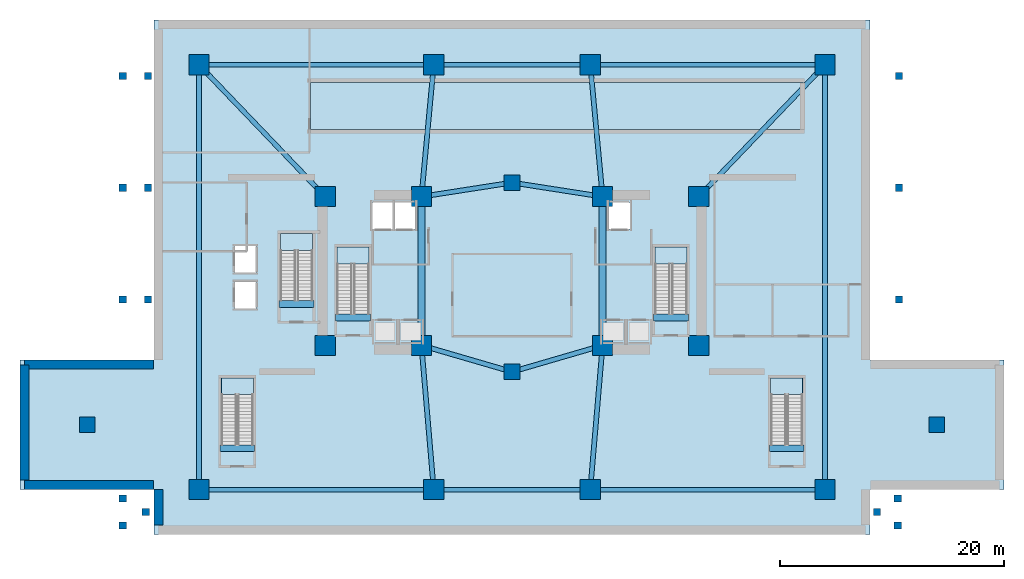
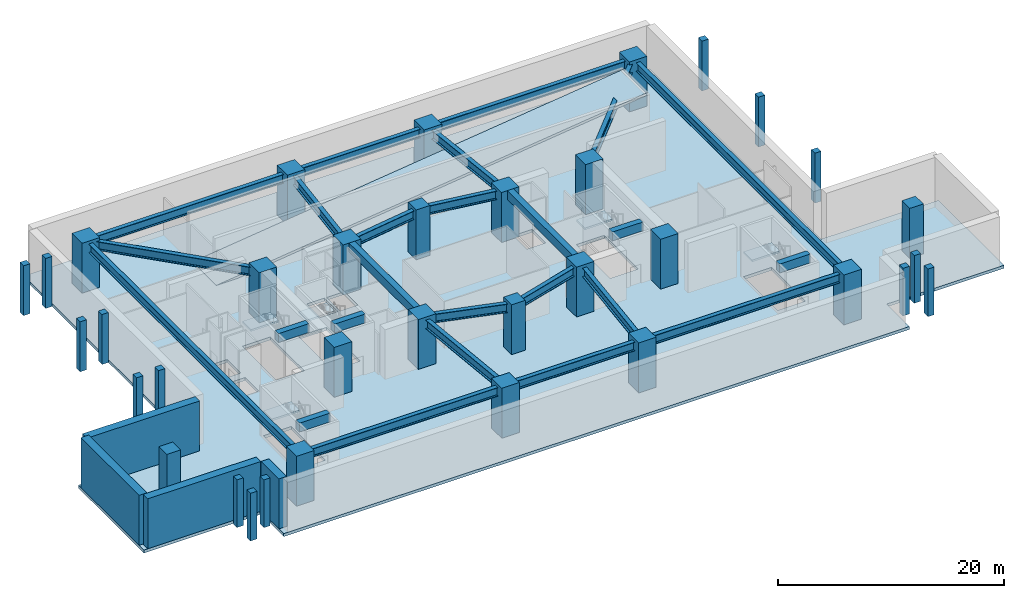
# One storey, part 1 of 9: 35 columns, 25 beams, 7 slabs, 4 walls, 5 elements without a shape of their own.
"""IFC4 building model written with IfcOpenShell, lengths in metres."""

from ifc_helpers import new_model, si_unit, direction, frame, frame_2d, origin, origin_2d, place, context, subcontext, project, spatial, polyline, rectangle, i_section, outline, extrude, material, layer, layer_set, material_profile, profile_set, type_object, element, aggregate, save


model = new_model("IFC4")

# Units and contexts
model_context = context("Model", 3, precision=1e-05, world=origin(), true_north=direction((0.0, 1.0)))
body_context = subcontext(model_context, "Body", "Model", "MODEL_VIEW")
ifc_project = project(units=[si_unit("LENGTHUNIT", "METRE"), si_unit("AREAUNIT", "SQUARE_METRE"), si_unit("VOLUMEUNIT", "CUBIC_METRE"), si_unit("PLANEANGLEUNIT", "RADIAN"), si_unit("MASSUNIT", "GRAM", prefix="KILO")], contexts=[model_context])

# Site, building, storey
site_placement = place(None, origin())
site = spatial("IfcSite", under=ifc_project, at=site_placement, CompositionType="ELEMENT")
building_placement = place(site_placement, origin())
building = spatial("IfcBuilding", under=site, at=building_placement, Name="Solvane Sanctuary Tower", CompositionType="ELEMENT")
storey_placement = place(building_placement, frame((0.0, 0.0, -5.39990234375)))
storey = spatial("IfcBuildingStorey", under=building, at=storey_placement, Name="B01", CompositionType="ELEMENT", Elevation=-5.39990234375)

# Columns
ifc_material_1 = material(Name="Concrete C50/60", Category="concrete")
ifc_material_profile_1 = material_profile(ifc_material_1, rectangle(XDim=0.64990234375, YDim=0.64990234375, at=origin_2d()), Name="RC650X650")
ifc_profile_set_1 = profile_set([ifc_material_profile_1], Name="Concrete C50/60")
column_type_1 = type_object("IfcColumnType", Name="Column C-COL-ARC RC650X650", PredefinedType="PILASTER", material=ifc_profile_set_1)
for number, where, z_axis, x_axis, name in (
    (1, (-2.800048828125, 0.800048828125, 0.0), (0.0, 0.0, 1.0), (1.0, 0.0, 0.0), "B01 Plaza Apron Support Pier WS1"),
    (2, (-2.800048828125, 3.199951171875, 0.0), (0.0, 0.0, 1.0), (1.0, 0.0, 0.0), "B01 Plaza Apron Support Pier WS2"),
    (3, (-0.75, 2.0, 0.0), (0.0, 0.0, 1.0), (1.0, 0.0, 0.0), "B01 Plaza Apron Support Pier WS3"),
    (4, (66.5, 0.800048828125, 0.0), (0.0, 0.0, 1.0), (1.0, 0.0, 0.0), "B01 Plaza Apron Support Pier ES1"),
    (5, (66.5, 3.199951171875, 0.0), (0.0, 0.0, 1.0), (1.0, 0.0, 0.0), "B01 Plaza Apron Support Pier ES2"),
    (6, (64.64990234375, 2.0, 0.0), (0.0, 0.0, 1.0), (1.0, 0.0, 0.0), "B01 Plaza Apron Support Pier ES3"),
):
    element("IfcColumn", number, at=place(storey_placement, frame(where, z_axis=z_axis, x_axis=x_axis)), inside=storey, type_object=column_type_1, Name=name, PredefinedType="PILASTER", context=body_context, shape_type="SweptSolid", body=[
        extrude(rectangle(XDim=0.64990234375, YDim=0.64990234375, at=origin_2d()), origin(), (0.0, 0.0, 1.0), 5.159912109375),
    ])
for number, where, z_axis, x_axis, name in (
    (7, (-2.800048828125, 21.0, 0.0), (0.0, 0.0, 1.0), (1.0, 0.0, 0.0), "B01 West Colonnade Outer Pilaster W1"),
    (8, (-0.550048828125, 21.0, 0.0), (0.0, 0.0, 1.0), (1.0, 0.0, 0.0), "B01 West Colonnade Inner Pilaster W1"),
    (9, (66.60009765625, 21.0, 0.0), (0.0, 0.0, 1.0), (1.0, 0.0, 0.0), "B01 East Colonnade Pilaster E1"),
    (10, (-2.800048828125, 31.0, 0.0), (0.0, 0.0, 1.0), (1.0, 0.0, 0.0), "B01 West Colonnade Outer Pilaster W2"),
    (11, (-0.550048828125, 31.0, 0.0), (0.0, 0.0, 1.0), (1.0, 0.0, 0.0), "B01 West Colonnade Inner Pilaster W2"),
    (12, (66.60009765625, 31.0, 0.0), (0.0, 0.0, 1.0), (1.0, 0.0, 0.0), "B01 East Colonnade Pilaster E2"),
    (13, (-2.800048828125, 41.0, 0.0), (0.0, 0.0, 1.0), (1.0, 0.0, 0.0), "B01 West Colonnade Outer Pilaster W3"),
    (14, (-0.550048828125, 41.0, 0.0), (0.0, 0.0, 1.0), (1.0, 0.0, 0.0), "B01 West Colonnade Inner Pilaster W3"),
    (15, (66.60009765625, 41.0, 0.0), (0.0, 0.0, 1.0), (1.0, 0.0, 0.0), "B01 East Colonnade Pilaster E3"),
):
    element("IfcColumn", number, at=place(storey_placement, frame(where, z_axis=z_axis, x_axis=x_axis)), inside=storey, type_object=column_type_1, Name=name, PredefinedType="PILASTER", context=body_context, shape_type="SweptSolid", body=[
        extrude(rectangle(XDim=0.64990234375, YDim=0.64990234375, at=origin_2d()), origin(), (0.0, 0.0, 1.0), 5.39990234375),
    ])
ifc_material_2 = material(Name="Concrete C70/85", Category="concrete")
ifc_material_profile_2 = material_profile(ifc_material_2, rectangle(XDim=1.800048828125, YDim=1.800048828125, at=origin_2d()), Name="RC1800X1800")
ifc_profile_set_2 = profile_set([ifc_material_profile_2], Name="Concrete C70/85")
column_type_2 = type_object("IfcColumnType", Name="Column C-MEGA RC1800X1800", PredefinedType="COLUMN", material=ifc_profile_set_2)
for number, where, z_axis, x_axis, name in (
    (16, (15.300048828125, 16.89990234375, 0.0), (0.0, 0.0, 1.0), (1.0, 0.0, 0.0), "B01 Core Corner Column CW1"),
    (17, (23.89990234375, 16.89990234375, 0.0), (0.0, 0.0, 1.0), (1.0, 0.0, 0.0), "B01 Core Corner Column CW2"),
    (18, (23.89990234375, 30.199951171875, 0.0), (0.0, 0.0, 1.0), (1.0, 0.0, 0.0), "B01 Core Corner Column CW3"),
    (19, (15.300048828125, 30.199951171875, 0.0), (0.0, 0.0, 1.0), (1.0, 0.0, 0.0), "B01 Core Corner Column CW4"),
    (20, (40.10009765625, 16.89990234375, 0.0), (0.0, 0.0, 1.0), (1.0, 0.0, 0.0), "B01 Core Corner Column CE1"),
    (21, (48.699951171875, 16.89990234375, 0.0), (0.0, 0.0, 1.0), (1.0, 0.0, 0.0), "B01 Core Corner Column CE2"),
    (22, (48.699951171875, 30.199951171875, 0.0), (0.0, 0.0, 1.0), (1.0, 0.0, 0.0), "B01 Core Corner Column CE3"),
    (23, (40.10009765625, 30.199951171875, 0.0), (0.0, 0.0, 1.0), (1.0, 0.0, 0.0), "B01 Core Corner Column CE4"),
    (24, (4.0, 4.0, 0.0), (0.0, 0.0, 1.0), (1.0, 0.0, 0.0), "B01 Podium Mega-Column MC1"),
    (25, (25.0, 4.0, 0.0), (0.0, 0.0, 1.0), (1.0, 0.0, 0.0), "B01 Podium Mega-Column MC2"),
    (26, (39.0, 4.0, 0.0), (0.0, 0.0, 1.0), (1.0, 0.0, 0.0), "B01 Podium Mega-Column MC3"),
    (27, (60.0, 4.0, 0.0), (0.0, 0.0, 1.0), (1.0, 0.0, 0.0), "B01 Podium Mega-Column MC4"),
    (28, (60.0, 42.0, 0.0), (0.0, 0.0, 1.0), (1.0, 0.0, 0.0), "B01 Podium Mega-Column MC5"),
    (29, (39.0, 42.0, 0.0), (0.0, 0.0, 1.0), (1.0, 0.0, 0.0), "B01 Podium Mega-Column MC6"),
    (30, (25.0, 42.0, 0.0), (0.0, 0.0, 1.0), (1.0, 0.0, 0.0), "B01 Podium Mega-Column MC7"),
    (31, (4.0, 42.0, 0.0), (0.0, 0.0, 1.0), (1.0, 0.0, 0.0), "B01 Podium Mega-Column MC8"),
):
    element("IfcColumn", number, at=place(storey_placement, frame(where, z_axis=z_axis, x_axis=x_axis)), inside=storey, type_object=column_type_2, Name=name, PredefinedType="COLUMN", context=body_context, shape_type="SweptSolid", body=[
        extrude(rectangle(XDim=1.800048828125, YDim=1.800048828125, at=origin_2d()), origin(), (0.0, 0.0, 1.0), 5.39990234375),
    ])
ifc_material_profile_3 = material_profile(ifc_material_2, rectangle(XDim=1.39990234375, YDim=1.39990234375, at=origin_2d()), Name="RC1400X1400")
ifc_profile_set_3 = profile_set([ifc_material_profile_3], Name="Concrete C70/85")
column_type_3 = type_object("IfcColumnType", Name="Column C-POD-INT RC1400X1400", PredefinedType="COLUMN", material=ifc_profile_set_3)
for number, where, z_axis, x_axis, name in (
    (32, (-6.0, 9.800048828125, 0.0), (0.0, 0.0, 1.0), (1.0, 0.0, 0.0), "B01 Metro Platform Column MW1"),
    (33, (70.0, 9.800048828125, 0.0), (0.0, 0.0, 1.0), (1.0, 0.0, 0.0), "B01 Metro Platform Column ME1"),
    (34, (32.0, 14.5400390625, 0.0), (0.0, 0.0, 1.0), (1.0, 0.0, 0.0), "B01 Podium Transfer Spine Column PCS"),
    (35, (32.0, 31.4599609375, 0.0), (0.0, 0.0, 1.0), (1.0, 0.0, 0.0), "B01 Podium Transfer Spine Column PCN"),
):
    element("IfcColumn", number, at=place(storey_placement, frame(where, z_axis=z_axis, x_axis=x_axis)), inside=storey, type_object=column_type_3, Name=name, PredefinedType="COLUMN", context=body_context, shape_type="SweptSolid", body=[
        extrude(rectangle(XDim=1.39990234375, YDim=1.39990234375, at=origin_2d()), origin(), (0.0, 0.0, 1.0), 5.39990234375),
    ])

# Beams
ifc_material_profile_4 = material_profile(ifc_material_2, rectangle(XDim=0.60009765625, YDim=0.949951171875, at=origin_2d()), Name="RC600X950")
ifc_profile_set_4 = profile_set([ifc_material_profile_4], Name="Concrete C70/85")
beam_type_1 = type_object("IfcBeamType", Name="Beam B-COUPLE RC600X950", PredefinedType="LINTEL", material=ifc_profile_set_4)
for number, where, z_axis, x_axis, name in (
    (36, (23.89990234375, 17.35009765625, 4.9248046875), (0.0, 1.0, 0.0), (-1.0, 0.0, 0.0), "B01 West Core Coupling Lintel"),
    (37, (40.10009765625, 17.35009765625, 4.9248046875), (0.0, 1.0, 0.0), (-1.0, 0.0, 0.0), "B01 East Core Coupling Lintel"),
):
    element("IfcBeam", number, at=place(storey_placement, frame(where, z_axis=z_axis, x_axis=x_axis)), inside=storey, type_object=beam_type_1, Name=name, PredefinedType="LINTEL", context=body_context, shape_type="SweptSolid", body=[
        extrude(rectangle(XDim=0.60009765625, YDim=0.949951171875, at=origin_2d()), origin(), (0.0, 0.0, 1.0), 12.39990234375),
    ])
for number, where, z_axis, x_axis, name in (
    (38, (16.22998046875, 19.399169921875, 4.9248046875), (1.0, 0.0, 0.0), (0.0, 1.0, 0.0), "B01 ST-1 Stair Floor Landing Trimmer"),
    (39, (44.64990234375, 19.399169921875, 4.9248046875), (1.0, 0.0, 0.0), (0.0, 1.0, 0.0), "B01 ST-2 Stair Floor Landing Trimmer"),
    (40, (11.169921875, 20.59912109375, 4.9248046875), (1.0, 0.0, 0.0), (0.0, 1.0, 0.0), "B01 ST-3 Stair Floor Landing Trimmer"),
):
    element("IfcBeam", number, at=place(storey_placement, frame(where, z_axis=z_axis, x_axis=x_axis)), inside=storey, type_object=beam_type_1, Name=name, PredefinedType="LINTEL", context=body_context, shape_type="SweptSolid", body=[
        extrude(rectangle(XDim=0.60009765625, YDim=0.949951171875, at=origin_2d()), origin(), (0.0, 0.0, 1.0), 3.1201171875),
    ])
for number, where, z_axis, x_axis, name in (
    (41, (5.8701171875, 7.69921875, 4.9248046875), (1.0, 0.0, 0.0), (0.0, 1.0, 0.0), "B01 ST-4 Stair Floor Landing Trimmer"),
    (42, (55.010009765625, 7.69921875, 4.9248046875), (1.0, 0.0, 0.0), (0.0, 1.0, 0.0), "B01 ST-5 Stair Floor Landing Trimmer"),
):
    element("IfcBeam", number, at=place(storey_placement, frame(where, z_axis=z_axis, x_axis=x_axis)), inside=storey, type_object=beam_type_1, Name=name, PredefinedType="LINTEL", context=body_context, shape_type="SweptSolid", body=[
        extrude(rectangle(XDim=0.60009765625, YDim=0.949951171875, at=origin_2d()), origin(), (0.0, 0.0, 1.0), 3.119873046875),
    ])
ifc_material_3 = material(Name="Steel ASTM A913 Grade 65", Category="steel")
ifc_material_profile_5 = material_profile(ifc_material_3, i_section(OverallWidth=0.423095703125, OverallDepth=0.947998046875, WebThickness=0.02392578125, FlangeThickness=0.042724609375, FilletRadius=0.02392578125, at=origin_2d()), Name="W36X302")
ifc_profile_set_5 = profile_set([ifc_material_profile_5], Name="Steel ASTM A913 Grade 65")
beam_type_2 = type_object("IfcBeamType", Name="Beam B-POD-GIRD W36X302", PredefinedType="BEAM", material=ifc_profile_set_5)
beam_1_placement = place(storey_placement, frame((4.35009765625, 4.0, 4.60400390625), z_axis=(1.0, 0.0, 0.0), x_axis=(0.0, 1.0, 0.0)))
element("IfcBeam", 43, at=beam_1_placement, inside=storey, type_object=beam_type_2, Name="B01 Podium Primary Girder PG1", PredefinedType="BEAM", context=body_context, shape_type="SweptSolid", body=[
    extrude(i_section(OverallWidth=0.423095703125, OverallDepth=0.947998046875, WebThickness=0.02392578125, FlangeThickness=0.042724609375, FilletRadius=0.02392578125, at=origin_2d()), origin(), (0.0, 0.0, 1.0), 20.2998046875),
])
beam_2_placement = place(storey_placement, frame((25.35009765625, 4.0, 4.60400390625), z_axis=(1.0, 0.0, 0.0), x_axis=(0.0, 1.0, 0.0)))
element("IfcBeam", 44, at=beam_2_placement, inside=storey, type_object=beam_type_2, Name="B01 Podium Primary Girder PG2", PredefinedType="BEAM", context=body_context, shape_type="SweptSolid", body=[
    extrude(i_section(OverallWidth=0.423095703125, OverallDepth=0.947998046875, WebThickness=0.02392578125, FlangeThickness=0.042724609375, FilletRadius=0.02392578125, at=origin_2d()), origin(), (0.0, 0.0, 1.0), 13.2998046875),
])
beam_3_placement = place(storey_placement, frame((39.35009765625, 4.0, 4.60400390625), z_axis=(1.0, 0.0, 0.0), x_axis=(0.0, 1.0, 0.0)))
element("IfcBeam", 45, at=beam_3_placement, inside=storey, type_object=beam_type_2, Name="B01 Podium Primary Girder PG3", PredefinedType="BEAM", context=body_context, shape_type="SweptSolid", body=[
    extrude(i_section(OverallWidth=0.423095703125, OverallDepth=0.947998046875, WebThickness=0.02392578125, FlangeThickness=0.042724609375, FilletRadius=0.02392578125, at=origin_2d()), origin(), (0.0, 0.0, 1.0), 20.2998046875),
])
beam_4_placement = place(storey_placement, frame((60.0, 4.35009765625, 4.60400390625), z_axis=(0.0, 1.0, 0.0), x_axis=(-1.0, 0.0, 0.0)))
element("IfcBeam", 46, at=beam_4_placement, inside=storey, type_object=beam_type_2, Name="B01 Podium Primary Girder PG4", PredefinedType="BEAM", context=body_context, shape_type="SweptSolid", body=[
    extrude(i_section(OverallWidth=0.423095703125, OverallDepth=0.947998046875, WebThickness=0.02392578125, FlangeThickness=0.042724609375, FilletRadius=0.02392578125, at=origin_2d()), origin(), (0.0, 0.0, 1.0), 37.2998046875),
])
beam_5_placement = place(storey_placement, frame((59.64990234375, 42.0, 4.60400390625), z_axis=(-1.0, 0.0, 0.0), x_axis=(0.0, -1.0, 0.0)))
element("IfcBeam", 47, at=beam_5_placement, inside=storey, type_object=beam_type_2, Name="B01 Podium Primary Girder PG5", PredefinedType="BEAM", context=body_context, shape_type="SweptSolid", body=[
    extrude(i_section(OverallWidth=0.423095703125, OverallDepth=0.947998046875, WebThickness=0.02392578125, FlangeThickness=0.042724609375, FilletRadius=0.02392578125, at=origin_2d()), origin(), (0.0, 0.0, 1.0), 20.2998046875),
])
beam_6_placement = place(storey_placement, frame((38.64990234375, 42.0, 4.60400390625), z_axis=(-1.0, 0.0, 0.0), x_axis=(0.0, -1.0, 0.0)))
element("IfcBeam", 48, at=beam_6_placement, inside=storey, type_object=beam_type_2, Name="B01 Podium Primary Girder PG6", PredefinedType="BEAM", context=body_context, shape_type="SweptSolid", body=[
    extrude(i_section(OverallWidth=0.423095703125, OverallDepth=0.947998046875, WebThickness=0.02392578125, FlangeThickness=0.042724609375, FilletRadius=0.02392578125, at=origin_2d()), origin(), (0.0, 0.0, 1.0), 13.2998046875),
])
beam_7_placement = place(storey_placement, frame((24.64990234375, 42.0, 4.60400390625), z_axis=(-1.0, 0.0, 0.0), x_axis=(0.0, -1.0, 0.0)))
element("IfcBeam", 49, at=beam_7_placement, inside=storey, type_object=beam_type_2, Name="B01 Podium Primary Girder PG7", PredefinedType="BEAM", context=body_context, shape_type="SweptSolid", body=[
    extrude(i_section(OverallWidth=0.423095703125, OverallDepth=0.947998046875, WebThickness=0.02392578125, FlangeThickness=0.042724609375, FilletRadius=0.02392578125, at=origin_2d()), origin(), (0.0, 0.0, 1.0), 20.2998046875),
])
beam_8_placement = place(storey_placement, frame((4.0, 41.64990234375, 4.60400390625), z_axis=(0.0, -1.0, 0.0), x_axis=(1.0, 0.0, 0.0)))
element("IfcBeam", 50, at=beam_8_placement, inside=storey, type_object=beam_type_2, Name="B01 Podium Primary Girder PG8", PredefinedType="BEAM", context=body_context, shape_type="SweptSolid", body=[
    extrude(i_section(OverallWidth=0.423095703125, OverallDepth=0.947998046875, WebThickness=0.02392578125, FlangeThickness=0.042724609375, FilletRadius=0.02392578125, at=origin_2d()), origin(), (0.0, 0.0, 1.0), 37.2998046875),
])
for number, where, z_axis, x_axis, name in (
    (51, (24.97021484375, 4.3486328125, 4.60400390625), (-0.084962372295, 0.996384160499, 0.0), (-0.996384160499, -0.084962372295, 0.0), "B01 Podium Primary Girder PG9"),
    (52, (39.02978515625, 4.3486328125, 4.60400390625), (0.084962372295, 0.996384160499, 0.0), (-0.996384160499, 0.084962372295, 0.0), "B01 Podium Primary Girder PG10"),
):
    element("IfcBeam", number, at=place(storey_placement, frame(where, z_axis=z_axis, x_axis=x_axis)), inside=storey, type_object=beam_type_2, Name=name, PredefinedType="BEAM", context=body_context, shape_type="SweptSolid", body=[
        extrude(i_section(OverallWidth=0.423095703125, OverallDepth=0.947998046875, WebThickness=0.02392578125, FlangeThickness=0.042724609375, FilletRadius=0.02392578125, at=origin_2d()), origin(), (0.0, 0.0, 1.0), 12.246826171875),
    ])
for number, where, z_axis, x_axis, name in (
    (53, (24.967529296875, 41.651611328125, 4.60400390625), (-0.092807615301, -0.9956840596, 0.0), (0.9956840596, -0.092807615301, 0.0), "B01 Podium Primary Girder PG11"),
    (54, (39.032470703125, 41.651611328125, 4.60400390625), (0.092807615301, -0.9956840596, 0.0), (0.9956840596, 0.092807615301, 0.0), "B01 Podium Primary Girder PG12"),
):
    element("IfcBeam", number, at=place(storey_placement, frame(where, z_axis=z_axis, x_axis=x_axis)), inside=storey, type_object=beam_type_2, Name=name, PredefinedType="BEAM", context=body_context, shape_type="SweptSolid", body=[
        extrude(i_section(OverallWidth=0.423095703125, OverallDepth=0.947998046875, WebThickness=0.02392578125, FlangeThickness=0.042724609375, FilletRadius=0.02392578125, at=origin_2d()), origin(), (0.0, 0.0, 1.0), 11.151123046875),
    ])
for number, where, z_axis, x_axis, name in (
    (55, (4.2421875, 41.747314453125, 4.60400390625), (0.691633366234, -0.722248770654, 0.0), (0.722248770654, 0.691633366234, 0.0), "B01 Podium Primary Girder PG14"),
    (56, (59.7578125, 41.747314453125, 4.60400390625), (-0.691633366234, -0.722248770654, 0.0), (0.722248770654, -0.691633366234, 0.0), "B01 Podium Primary Girder PG16"),
):
    element("IfcBeam", number, at=place(storey_placement, frame(where, z_axis=z_axis, x_axis=x_axis)), inside=storey, type_object=beam_type_2, Name=name, PredefinedType="BEAM", context=body_context, shape_type="SweptSolid", body=[
        extrude(i_section(OverallWidth=0.423095703125, OverallDepth=0.947998046875, WebThickness=0.02392578125, FlangeThickness=0.042724609375, FilletRadius=0.02392578125, at=origin_2d()), origin(), (0.0, 0.0, 1.0), 15.637939453125),
    ])
for number, where, z_axis, x_axis, name in (
    (57, (24.236083984375, 16.802001953125, 4.60400390625), (0.960084424813, -0.279710380987, 0.0), (0.279710380987, 0.960084424813, 0.0), "B01 Podium Primary Girder PG17"),
    (58, (32.3359375, 14.637939453125, 4.60400390625), (0.960084424813, 0.279710380987, 0.0), (-0.279710380987, 0.960084424813, 0.0), "B01 Podium Primary Girder PG18"),
):
    element("IfcBeam", number, at=place(storey_placement, frame(where, z_axis=z_axis, x_axis=x_axis)), inside=storey, type_object=beam_type_2, Name=name, PredefinedType="BEAM", context=body_context, shape_type="SweptSolid", body=[
        extrude(i_section(OverallWidth=0.423095703125, OverallDepth=0.947998046875, WebThickness=0.02392578125, FlangeThickness=0.042724609375, FilletRadius=0.02392578125, at=origin_2d()), origin(), (0.0, 0.0, 1.0), 7.73681640625),
    ])
for number, where, z_axis, x_axis, name in (
    (59, (24.245849609375, 30.25390625, 4.60400390625), (0.988118117449, 0.153696408448, 0.0), (-0.153696408448, 0.988118117449, 0.0), "B01 Podium Primary Girder PG19"),
    (60, (32.345703125, 31.40625, 4.60400390625), (0.988118117449, -0.153696408448, 0.0), (0.153696408448, 0.988118117449, 0.0), "B01 Podium Primary Girder PG20"),
):
    element("IfcBeam", number, at=place(storey_placement, frame(where, z_axis=z_axis, x_axis=x_axis)), inside=storey, type_object=beam_type_2, Name=name, PredefinedType="BEAM", context=body_context, shape_type="SweptSolid", body=[
        extrude(i_section(OverallWidth=0.423095703125, OverallDepth=0.947998046875, WebThickness=0.02392578125, FlangeThickness=0.042724609375, FilletRadius=0.02392578125, at=origin_2d()), origin(), (0.0, 0.0, 1.0), 7.49755859375),
    ])

# Stair, slab
ifc_material_4 = material(Name="Concrete C45/55", Category="concrete")
stair_type_1 = type_object("IfcStairType", Name="Stair ST-TOW", PredefinedType="HALF_TURN_STAIR", material=ifc_material_4)
stair_1_placement = place(storey_placement, origin())
stair_1 = element("IfcStair", 61, at=stair_1_placement, inside=storey, type_object=stair_type_1, Name="B01 Exit Stair ST-1 West Core", PredefinedType="HALF_TURN_STAIR")
ifc_layer_1 = layer(ifc_material_4, 0.199951171875, Name="Concrete C45/55")
ifc_layer_set_1 = layer_set([ifc_layer_1], Name="Concrete C45/55")
slab_type_1 = type_object("IfcSlabType", Name="Slab SL-LAND-180", PredefinedType="LANDING", material=ifc_layer_set_1)
slab_1_placement = place(storey_placement, frame((0.0, 0.0, 2.5)))
slab_1 = element("IfcSlab", 62, at=slab_1_placement, type_object=slab_type_1, Name="ST-1 landing 1", PredefinedType="LANDING", context=body_context, shape_type="SweptSolid", body=[
    extrude(outline(polyline([(19.219970703125, 24.199951171875), (19.219970703125, 25.699951171875), (16.360107421875, 25.699951171875), (16.360107421875, 24.199951171875), (19.219970703125, 24.199951171875)])), origin(), (0.0, 0.0, 1.0), 0.199951171875),
])
aggregate(stair_1, [slab_1])

stair_2_placement = place(storey_placement, origin())
stair_2 = element("IfcStair", 63, at=stair_2_placement, inside=storey, type_object=stair_type_1, Name="B01 Exit Stair ST-2 East Core", PredefinedType="HALF_TURN_STAIR")
slab_2_placement = place(storey_placement, frame((0.0, 0.0, 2.5)))
slab_2 = element("IfcSlab", 64, at=slab_2_placement, type_object=slab_type_1, Name="ST-2 landing 1", PredefinedType="LANDING", context=body_context, shape_type="SweptSolid", body=[
    extrude(outline(polyline([(47.639892578125, 24.199951171875), (47.639892578125, 25.699951171875), (44.780029296875, 25.699951171875), (44.780029296875, 24.199951171875), (47.639892578125, 24.199951171875)])), origin(), (0.0, 0.0, 1.0), 0.199951171875),
])
aggregate(stair_2, [slab_2])

stair_3_placement = place(storey_placement, origin())
stair_3 = element("IfcStair", 65, at=stair_3_placement, inside=storey, type_object=stair_type_1, Name="B01 Exit Stair ST-3 Pilgrim Tower Stair", PredefinedType="HALF_TURN_STAIR")
slab_3_placement = place(storey_placement, frame((0.0, 0.0, 2.5)))
slab_3 = element("IfcSlab", 66, at=slab_3_placement, type_object=slab_type_1, Name="ST-3 landing 1", PredefinedType="LANDING", context=body_context, shape_type="SweptSolid", body=[
    extrude(outline(polyline([(14.159912109375, 25.39990234375), (14.159912109375, 26.89990234375), (11.300048828125, 26.89990234375), (11.300048828125, 25.39990234375), (14.159912109375, 25.39990234375)])), origin(), (0.0, 0.0, 1.0), 0.199951171875),
])
aggregate(stair_3, [slab_3])

stair_type_2 = type_object("IfcStairType", Name="Stair ST-POD", PredefinedType="HALF_TURN_STAIR", material=ifc_material_1)
stair_4_placement = place(storey_placement, origin())
stair_4 = element("IfcStair", 67, at=stair_4_placement, inside=storey, type_object=stair_type_2, Name="B01 Exit Stair ST-4 Metro West Stair", PredefinedType="HALF_TURN_STAIR")
slab_4_placement = place(storey_placement, frame((0.0, 0.0, 2.5)))
slab_4 = element("IfcSlab", 68, at=slab_4_placement, type_object=slab_type_1, Name="ST-4 landing 1", PredefinedType="LANDING", context=body_context, shape_type="SweptSolid", body=[
    extrude(outline(polyline([(8.860107421875, 12.5), (8.860107421875, 14.0), (6.0, 14.0), (6.0, 12.5), (8.860107421875, 12.5)])), origin(), (0.0, 0.0, 1.0), 0.199951171875),
])
aggregate(stair_4, [slab_4])

stair_type_3 = type_object("IfcStairType", Name="Stair ST-METRO", PredefinedType="HALF_TURN_STAIR", material=ifc_material_1)
stair_5_placement = place(storey_placement, origin())
stair_5 = element("IfcStair", 69, at=stair_5_placement, inside=storey, type_object=stair_type_3, Name="B01 Exit Stair ST-5 Metro East Stair", PredefinedType="HALF_TURN_STAIR")
slab_5_placement = place(storey_placement, frame((0.0, 0.0, 2.5)))
slab_5 = element("IfcSlab", 70, at=slab_5_placement, type_object=slab_type_1, Name="ST-5 landing 1", PredefinedType="LANDING", context=body_context, shape_type="SweptSolid", body=[
    extrude(outline(polyline([(58.0, 12.5), (58.0, 14.0), (55.139892578125, 14.0), (55.139892578125, 12.5), (58.0, 12.5)])), origin(), (0.0, 0.0, 1.0), 0.199951171875),
])
aggregate(stair_5, [slab_5])

# Slabs
ifc_layer_2 = layer(ifc_material_1, 0.320068359375, Name="Concrete C50/60")
ifc_layer_set_2 = layer_set([ifc_layer_2], Name="Concrete C50/60")
slab_type_2 = type_object("IfcSlabType", Name="Slab SL-POD-300", PredefinedType="FLOOR", material=ifc_layer_set_2)
slab_6_placement = place(storey_placement, frame((0.0, 0.0, -0.320068359375)))
element("IfcSlab", 71, at=slab_6_placement, inside=storey, type_object=slab_type_2, Name="B01 Primary Structural Slab", PredefinedType="FLOOR", context=body_context, shape_type="SweptSolid", body=[
    extrude(outline(polyline([(0.0, 0.0), (64.0, 0.0), (64.0, 4.0), (76.0, 4.0), (76.0, 15.60009765625), (64.0, 15.60009765625), (64.0, 46.0), (0.0, 46.0), (0.0, 15.60009765625), (-12.0, 15.60009765625), (-12.0, 4.0), (0.0, 4.0), (0.0, 0.0)]), holes=[polyline([(16.360107421875, 19.699951171875), (16.360107421875, 25.699951171875), (19.219970703125, 25.699951171875), (19.219970703125, 19.699951171875), (16.360107421875, 19.699951171875)]), polyline([(44.780029296875, 19.699951171875), (44.780029296875, 25.699951171875), (47.639892578125, 25.699951171875), (47.639892578125, 19.699951171875), (44.780029296875, 19.699951171875)]), polyline([(11.300048828125, 20.89990234375), (11.300048828125, 26.89990234375), (14.159912109375, 26.89990234375), (14.159912109375, 20.89990234375), (11.300048828125, 20.89990234375)]), polyline([(6.0, 8.0), (6.0, 14.0), (8.860107421875, 14.0), (8.860107421875, 8.0), (6.0, 8.0)]), polyline([(55.139892578125, 8.0), (55.139892578125, 14.0), (58.0, 14.0), (58.0, 8.0), (55.139892578125, 8.0)]), polyline([(19.5, 29.699951171875), (21.300048828125, 29.699951171875), (21.300048828125, 27.300048828125), (19.5, 27.300048828125), (19.5, 29.699951171875)]), polyline([(21.550048828125, 29.699951171875), (23.35009765625, 29.699951171875), (23.35009765625, 27.300048828125), (21.550048828125, 27.300048828125), (21.550048828125, 29.699951171875)]), polyline([(40.64990234375, 29.699951171875), (42.550048828125, 29.699951171875), (42.550048828125, 27.300048828125), (40.64990234375, 27.300048828125), (40.64990234375, 29.699951171875)]), polyline([(7.199951171875, 22.60009765625), (9.10009765625, 22.60009765625), (9.10009765625, 20.199951171875), (7.199951171875, 20.199951171875), (7.199951171875, 22.60009765625)]), polyline([(7.199951171875, 25.800048828125), (9.10009765625, 25.800048828125), (9.10009765625, 23.39990234375), (7.199951171875, 23.39990234375), (7.199951171875, 25.800048828125)])]), origin(), (0.0, 0.0, 1.0), 0.320068359375),
])
ifc_layer_3 = layer(ifc_material_1, 0.27001953125, Name="Concrete C50/60")
ifc_layer_set_3 = layer_set([ifc_layer_3], Name="Concrete C50/60")
slab_type_3 = type_object("IfcSlabType", Name="Slab SL-RAMP-250", PredefinedType="FLOOR", material=ifc_layer_set_3)
slab_7_placement = place(storey_placement, frame((14.0, 36.199951171875, 0.0), z_axis=(-0.12181115593, 0.0, 0.992553294434), x_axis=(0.992553294434, 0.0, 0.12181115593)))
element("IfcSlab", 72, at=slab_7_placement, inside=storey, type_object=slab_type_3, Name="B01 Car Park and Service Vehicle Ramp R1", PredefinedType="FLOOR", context=body_context, shape_type="SweptSolid", body=[
    extrude(outline(polyline([(0.0, 0.0), (44.3301133014798, 0.0), (44.3301133014798, 4.199951171875), (0.0, 4.199951171875), (0.0, 0.0)])), origin(), (0.0, 0.0, -1.0), 0.27001953125),
])

# Walls
ifc_material_5 = material(Name="Concrete C60/75", Category="concrete")
ifc_layer_4 = layer(ifc_material_5, 0.800048828125, Name="Concrete C60/75")
ifc_layer_set_4 = layer_set([ifc_layer_4], Name="Concrete C60/75")
wall_type = type_object("IfcWallType", Name="Wall W-RET-800", PredefinedType="USERDEFINED", material=ifc_layer_set_4)
wall_1_placement = place(storey_placement, frame((-0.050048828125, 15.199951171875, 0.0), z_axis=(0.0, 0.0, 1.0), x_axis=(-1.0, 0.0, 0.0)))
element("IfcWall", 73, at=wall_1_placement, inside=storey, type_object=wall_type, Name="B01 Perimeter Retaining Wall MWN", ObjectType="RETAININGWALL", PredefinedType="USERDEFINED", context=body_context, shape_type="SweptSolid", body=[
    extrude(rectangle(XDim=11.550048828125, YDim=0.800048828125, at=frame_2d((5.77490234375, 0.0))), origin(), (0.0, 0.0, 1.0), 5.39990234375),
])
wall_2_placement = place(storey_placement, frame((-11.60009765625, 15.14990234375, 0.0), z_axis=(0.0, 0.0, 1.0), x_axis=(0.0, -1.0, 0.0)))
element("IfcWall", 74, at=wall_2_placement, inside=storey, type_object=wall_type, Name="B01 Perimeter Retaining Wall MWW", ObjectType="RETAININGWALL", PredefinedType="USERDEFINED", context=body_context, shape_type="SweptSolid", body=[
    extrude(rectangle(XDim=10.2998046875, YDim=0.800048828125, at=frame_2d((5.14990234375, 0.0))), origin(), (0.0, 0.0, 1.0), 5.39990234375),
])
wall_3_placement = place(storey_placement, frame((-11.60009765625, 4.39990234375, 0.0), z_axis=(0.0, 0.0, 1.0), x_axis=(1.0, 0.0, 0.0)))
element("IfcWall", 75, at=wall_3_placement, inside=storey, type_object=wall_type, Name="B01 Perimeter Retaining Wall MWS", ObjectType="RETAININGWALL", PredefinedType="USERDEFINED", context=body_context, shape_type="SweptSolid", body=[
    extrude(rectangle(XDim=11.550048828125, YDim=0.800048828125, at=frame_2d((5.77490234375, 0.0))), origin(), (0.0, 0.0, 1.0), 5.39990234375),
])
wall_4_placement = place(storey_placement, frame((0.39990234375, 4.0, 0.0), z_axis=(0.0, 0.0, 1.0), x_axis=(0.0, -1.0, 0.0)))
element("IfcWall", 76, at=wall_4_placement, inside=storey, type_object=wall_type, Name="B01 Perimeter Retaining Wall WS1", ObjectType="RETAININGWALL", PredefinedType="USERDEFINED", context=body_context, shape_type="SweptSolid", body=[
    extrude(rectangle(XDim=3.14990234375, YDim=0.800048828125, at=frame_2d((1.574951171875, 0.0))), origin(), (0.0, 0.0, 1.0), 5.39990234375),
])

save(model, "model.ifc")
